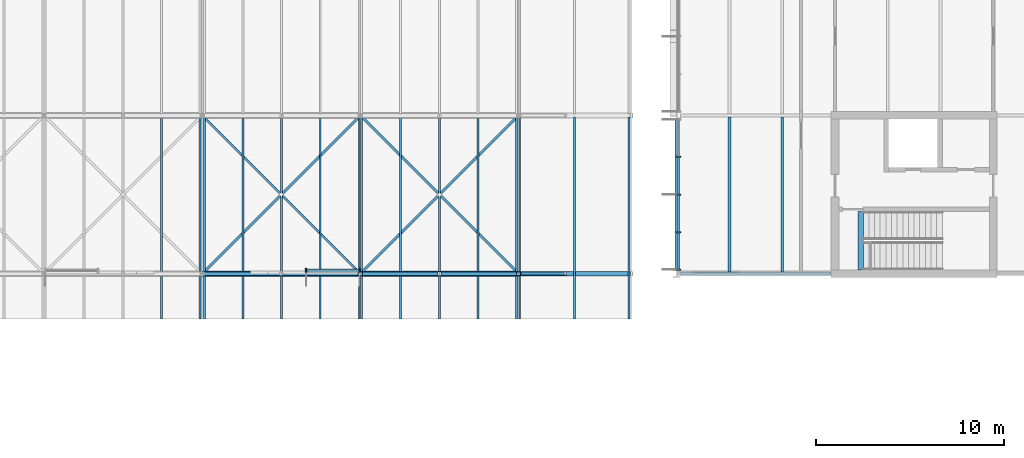
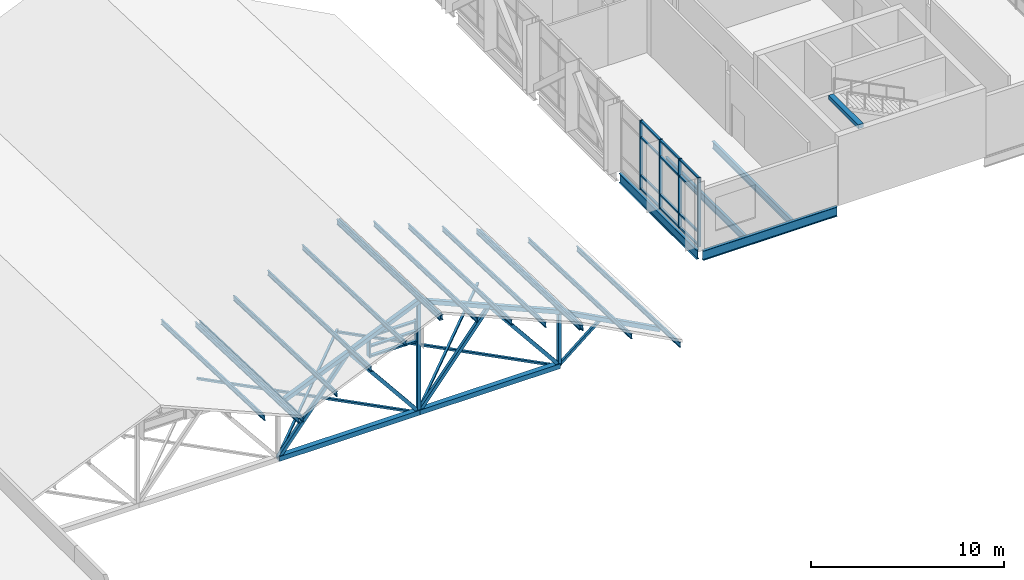
# One storey, part 13 of 76: 32 members, 27 beams, 2 elements without a shape of their own.
"""IFC4 building model written with IfcOpenShell, lengths in metres."""

from ifc_helpers import new_model, si_unit, direction, frame, origin, origin_2d, place, context, subcontext, project, spatial, rectangle, hollow_rectangle, i_section, extrude, material, material_profile, profile_set, type_object, element, aggregate, save


model = new_model("IFC4")

# Units and contexts
model_context = context("Model", 3, precision=1e-05, world=origin(), true_north=direction((0.0, 1.0)))
body_context = subcontext(model_context, "Body", "Model", "MODEL_VIEW")
ifc_project = project(units=[si_unit("LENGTHUNIT", "METRE"), si_unit("AREAUNIT", "SQUARE_METRE"), si_unit("VOLUMEUNIT", "CUBIC_METRE"), si_unit("PLANEANGLEUNIT", "RADIAN"), si_unit("MASSUNIT", "GRAM", prefix="KILO")], contexts=[model_context])

# Site, building, storey
site_placement = place(None, origin())
site = spatial("IfcSite", under=ifc_project, at=site_placement, CompositionType="ELEMENT")
building_placement = place(site_placement, origin())
building = spatial("IfcBuilding", under=site, at=building_placement, Name="Hlaing Beacon Police Headquarters", CompositionType="ELEMENT")
storey_placement = place(building_placement, frame((0.0, 0.0, 18.89990234375)))
storey = spatial("IfcBuildingStorey", under=building, at=storey_placement, Name="L04", CompositionType="ELEMENT", Elevation=18.89990234375)

# Member
ifc_material_1 = material(Name="Steel ASTM A500 Grade C", Category="steel")
ifc_material_profile_1 = material_profile(ifc_material_1, hollow_rectangle(XDim=0.15234375, YDim=0.15234375, WallThickness=0.0126953125, at=origin_2d()), Name="HSS6x6x1/2")
ifc_profile_set_1 = profile_set([ifc_material_profile_1], Name="Steel ASTM A500 Grade C")
member_type_1 = type_object("IfcMemberType", Name="Eave strut HSS6x6x1/2", PredefinedType="BRACE", material=ifc_profile_set_1)
member_1_placement = place(storey_placement, frame((92.39990234375, 33.60009765625, -4.347412109375), z_axis=(0.774816252663, 0.0, 0.632186503027), x_axis=(0.0, 1.0, 0.0)))
element("IfcMember", 1, at=member_1_placement, inside=storey, type_object=member_type_1, Name="STR-RT-V1-T1-ST02", PredefinedType="BRACE", context=body_context, shape_type="SweptSolid", body=[
    extrude(hollow_rectangle(XDim=0.15234375, YDim=0.15234375, WallThickness=0.0126953125, at=origin_2d()), origin(), (0.0, 0.0, 1.0), 3.2265625),
])

# Beams
ifc_material_2 = material(Name="Steel ASTM A992 Grade 50", Category="steel")
ifc_material_profile_2 = material_profile(ifc_material_2, i_section(OverallWidth=0.177978515625, OverallDepth=0.599365234375, WebThickness=0.010009765625, FlangeThickness=0.012939453125, FilletRadius=0.012939453125, at=origin_2d()), Name="W24x55")
ifc_profile_set_2 = profile_set([ifc_material_profile_2], Name="Steel ASTM A992 Grade 50")
beam_type_1 = type_object("IfcBeamType", Name="Girder W24x55", PredefinedType="BEAM", material=ifc_profile_set_2)
beam_1_placement = place(storey_placement, frame((100.987060546875, 33.60009765625, -0.4296875), z_axis=(1.0, 0.0, 0.0), x_axis=(0.0, 1.0, 0.0)))
element("IfcBeam", 2, at=beam_1_placement, inside=storey, type_object=beam_type_1, Name="STR-BM-L04-GX-N5-P5", PredefinedType="BEAM", context=body_context, shape_type="SweptSolid", body=[
    extrude(i_section(OverallWidth=0.177978515625, OverallDepth=0.599365234375, WebThickness=0.010009765625, FlangeThickness=0.012939453125, FilletRadius=0.012939453125, at=origin_2d()), origin(), (0.0, 0.0, 1.0), 8.012939453125),
])
beam_2_placement = place(storey_placement, frame((100.800048828125, 33.787109375, -0.4296875), z_axis=(0.0, 1.0, 0.0), x_axis=(-1.0, 0.0, 0.0)))
element("IfcBeam", 3, at=beam_2_placement, inside=storey, type_object=beam_type_1, Name="STR-BM-L04-GY-N5-N6", PredefinedType="BEAM", context=body_context, shape_type="SweptSolid", body=[
    extrude(i_section(OverallWidth=0.177978515625, OverallDepth=0.599365234375, WebThickness=0.010009765625, FlangeThickness=0.012939453125, FilletRadius=0.012939453125, at=origin_2d()), origin(), (0.0, 0.0, 1.0), 8.02197265625),
])

# Curtain wall, members
ifc_material_3 = material(Name="Aluminium frame with solar control glazing", Category="aluminium")
curtain_wall_type_1 = type_object("IfcCurtainWallType", Name="Unitised curtain wall 8.03 x 4.37", PredefinedType="NOTDEFINED", material=ifc_material_3)
curtain_wall_1_placement = place(storey_placement, origin())
curtain_wall_1 = element("IfcCurtainWall", 4, at=curtain_wall_1_placement, inside=storey, type_object=curtain_wall_type_1, Name="ENV-CW-L04-W022", PredefinedType="NOTDEFINED")
ifc_material_4 = material(Name="Aluminium", Category="aluminium")
ifc_material_profile_3 = material_profile(ifc_material_4, rectangle(XDim=0.199951171875, YDim=0.06005859375, at=origin_2d()), Name="Mullion 60x200")
ifc_profile_set_3 = profile_set([ifc_material_profile_3], Name="Aluminium")
member_type_2 = type_object("IfcMemberType", Name="Mullion 60x200", PredefinedType="MULLION", material=ifc_profile_set_3)
member_2_placement = place(storey_placement, frame((100.89990234375, 39.804931640625, 0.0), z_axis=(0.0, 0.0, 1.0), x_axis=(1.0, 0.0, 0.0)))
member_2 = element("IfcMember", 5, at=member_2_placement, type_object=member_type_2, Name="CW-L04-W022 mullion 2", PredefinedType="MULLION", context=body_context, shape_type="SweptSolid", body=[
    extrude(rectangle(XDim=0.199951171875, YDim=0.06005859375, at=origin_2d()), origin(), (0.0, 0.0, 1.0), 4.3701171875),
])
member_3_placement = place(storey_placement, frame((100.89990234375, 37.798095703125, 0.0), z_axis=(0.0, 0.0, 1.0), x_axis=(1.0, 0.0, 0.0)))
member_3 = element("IfcMember", 6, at=member_3_placement, type_object=member_type_2, Name="CW-L04-W022 mullion 3", PredefinedType="MULLION", context=body_context, shape_type="SweptSolid", body=[
    extrude(rectangle(XDim=0.199951171875, YDim=0.06005859375, at=origin_2d()), origin(), (0.0, 0.0, 1.0), 4.3701171875),
])
member_4_placement = place(storey_placement, frame((100.89990234375, 35.791259765625, 0.0), z_axis=(0.0, 0.0, 1.0), x_axis=(1.0, 0.0, 0.0)))
member_4 = element("IfcMember", 7, at=member_4_placement, type_object=member_type_2, Name="CW-L04-W022 mullion 4", PredefinedType="MULLION", context=body_context, shape_type="SweptSolid", body=[
    extrude(rectangle(XDim=0.199951171875, YDim=0.06005859375, at=origin_2d()), origin(), (0.0, 0.0, 1.0), 4.3701171875),
])
member_5_placement = place(storey_placement, frame((100.89990234375, 33.814208984375, 0.0), z_axis=(0.0, 0.0, 1.0), x_axis=(1.0, 0.0, 0.0)))
member_5 = element("IfcMember", 8, at=member_5_placement, type_object=member_type_2, Name="CW-L04-W022 mullion 5", PredefinedType="MULLION", context=body_context, shape_type="SweptSolid", body=[
    extrude(rectangle(XDim=0.199951171875, YDim=0.06005859375, at=origin_2d()), origin(), (0.0, 0.0, 1.0), 4.3701171875),
])

ifc_material_5 = material(Name="Aluminium frame with solar control glazing", Category="aluminium")
curtain_wall_type_2 = type_object("IfcCurtainWallType", Name="Structural glazed gable wall 2.92 x 1.35", PredefinedType="NOTDEFINED", material=ifc_material_5)
curtain_wall_2_placement = place(storey_placement, origin())
curtain_wall_2 = element("IfcCurtainWall", 9, at=curtain_wall_2_placement, inside=storey, type_object=curtain_wall_type_2, Name="ENV-CW-L04-S002", PredefinedType="NOTDEFINED")
ifc_material_6 = material(Name="Aluminium", Category="aluminium")
ifc_material_profile_4 = material_profile(ifc_material_6, rectangle(XDim=0.300048828125, YDim=0.080078125, at=origin_2d()), Name="Mullion 80x300")
ifc_profile_set_4 = profile_set([ifc_material_profile_4], Name="Aluminium")
member_type_3 = type_object("IfcMemberType", Name="Mullion 80x300", PredefinedType="MULLION", material=ifc_profile_set_4)
member_6_placement = place(storey_placement, frame((81.123291015625, 33.75, 0.0), z_axis=(0.0, 0.0, 1.0), x_axis=(0.0, 1.0, 0.0)))
member_6 = element("IfcMember", 10, at=member_6_placement, type_object=member_type_3, Name="CW-L04-S002 mullion 1", PredefinedType="MULLION", context=body_context, shape_type="SweptSolid", body=[
    extrude(rectangle(XDim=0.300048828125, YDim=0.080078125, at=origin_2d()), origin(), (0.0, 0.0, 1.0), 1.35009765625),
])
member_7_placement = place(storey_placement, frame((83.9599609375, 33.75, 0.0), z_axis=(0.0, 0.0, 1.0), x_axis=(0.0, 1.0, 0.0)))
member_7 = element("IfcMember", 11, at=member_7_placement, type_object=member_type_3, Name="CW-L04-S002 mullion 2", PredefinedType="MULLION", context=body_context, shape_type="SweptSolid", body=[
    extrude(rectangle(XDim=0.300048828125, YDim=0.080078125, at=origin_2d()), origin(), (0.0, 0.0, 1.0), 1.35009765625),
])

# Members
ifc_material_7 = material(Name="Steel ASTM A500 Grade C", Category="steel")
ifc_material_profile_5 = material_profile(ifc_material_7, hollow_rectangle(XDim=0.126953125, YDim=0.126953125, WallThickness=0.009521484375, at=origin_2d()), Name="HSS5x5x3/8")
ifc_profile_set_5 = profile_set([ifc_material_profile_5], Name="Steel ASTM A500 Grade C")
member_type_4 = type_object("IfcMemberType", Name="Roof plan brace HSS5x5x3/8", PredefinedType="BRACE", material=ifc_profile_set_5)
for number, where, z_axis, x_axis, name in (
    (12, (75.60009765625, 33.60009765625, -4.27392578125), (0.707106781187, 0.707106781187, 0.0), (-0.707106781187, 0.707106781187, 0.0), "STR-RT-V1-WB05"),
    (13, (75.60009765625, 42.0, -4.4208984375), (0.707106781187, -0.707106781187, 0.0), (0.707106781187, 0.707106781187, 0.0), "STR-RT-V1-WB06"),
    (14, (84.0, 33.60009765625, -4.27392578125), (0.707106781187, 0.707106781187, 0.0), (-0.707106781187, 0.707106781187, 0.0), "STR-RT-V1-WB07"),
    (15, (84.0, 42.0, -4.4208984375), (0.707106781187, -0.707106781187, 0.0), (0.707106781187, 0.707106781187, 0.0), "STR-RT-V1-WB08"),
):
    element("IfcMember", number, at=place(storey_placement, frame(where, z_axis=z_axis, x_axis=x_axis)), inside=storey, type_object=member_type_4, Name=name, PredefinedType="BRACE", context=body_context, shape_type="SweptSolid", body=[
        extrude(hollow_rectangle(XDim=0.126953125, YDim=0.126953125, WallThickness=0.009521484375, at=origin_2d()), origin(), (0.0, 0.0, 1.0), 11.879150390625),
    ])

# Beams
ifc_material_8 = material(Name="Steel ASTM A992 Grade 50", Category="steel")
ifc_material_profile_6 = material_profile(ifc_material_8, i_section(OverallWidth=0.102294921875, OverallDepth=0.3125, WebThickness=0.006591796875, FlangeThickness=0.0107421875, FilletRadius=0.007568359375, at=origin_2d()), Name="W12x22")
ifc_profile_set_6 = profile_set([ifc_material_profile_6], Name="Steel ASTM A992 Grade 50")
beam_type_2 = type_object("IfcBeamType", Name="Roof purlin W12x22", PredefinedType="BEAM", material=ifc_profile_set_6)
for number, where, z_axis, x_axis, name in (
    (16, (73.43994140625, 31.199951171875, 0.3701171875), (0.0, 0.99936175104, -0.035722409739), (-1.0, 0.0, 0.0), "STR-RT-V1-PR-R3-04-1"),
    (17, (75.479736328125, 31.199951171875, -0.504150390625), (0.0, 0.999362564096, -0.035699656635), (-1.0, 0.0, 0.0), "STR-RT-V1-PR-R3-05-1"),
    (18, (75.72021484375, 31.199951171875, -0.504150390625), (0.0, 0.999362564096, -0.035699656635), (-1.0, 0.0, 0.0), "STR-RT-V1-PR-R4-01-1"),
    (19, (77.760009765625, 31.199951171875, 0.3701171875), (0.0, 0.99936175104, -0.035722409739), (-1.0, 0.0, 0.0), "STR-RT-V1-PR-R4-02-1"),
    (20, (79.800048828125, 31.199951171875, 1.244384765625), (0.0, 0.99936175104, -0.035722409739), (-1.0, 0.0, 0.0), "STR-RT-V1-PR-R4-03-1"),
    (21, (81.869384765625, 31.199951171875, 2.131103515625), (0.0, 0.999362564096, -0.035699656635), (-1.0, 0.0, 0.0), "STR-RT-V1-PR-R4-04-1"),
    (22, (83.938720703125, 31.199951171875, 3.01806640625), (0.0, 0.999362564096, -0.035699656635), (-1.0, 0.0, 0.0), "STR-RT-V1-PR-R4-05-1"),
    (23, (84.061279296875, 31.199951171875, 3.01806640625), (0.0, 0.999362564096, -0.035699656635), (-1.0, 0.0, 0.0), "STR-RT-V1-PR-R5-01-1"),
    (24, (86.130615234375, 31.199951171875, 2.131103515625), (0.0, 0.999362564096, -0.035699656635), (-1.0, 0.0, 0.0), "STR-RT-V1-PR-R5-02-1"),
    (25, (88.199951171875, 31.199951171875, 1.244384765625), (0.0, 0.99936175104, -0.035722409739), (-1.0, 0.0, 0.0), "STR-RT-V1-PR-R5-03-1"),
    (26, (90.239990234375, 31.199951171875, 0.3701171875), (0.0, 0.99936175104, -0.035722409739), (-1.0, 0.0, 0.0), "STR-RT-V1-PR-R5-04-1"),
    (27, (92.27978515625, 31.199951171875, -0.504150390625), (0.0, 0.999362564096, -0.035699656635), (-1.0, 0.0, 0.0), "STR-RT-V1-PR-R5-05-1"),
    (28, (92.461181640625, 31.199951171875, -0.6005859375), (0.0, 0.999362564096, -0.035699656635), (-1.0, 0.0, 0.0), "STR-RT-V1-PR-R6-01-1"),
    (29, (95.36474609375, 31.199951171875, -2.149169921875), (0.0, 0.999363376635, -0.035676903474), (-1.0, 0.0, 0.0), "STR-RT-V1-PR-R6-02-1"),
    (30, (98.268310546875, 31.199951171875, -3.697509765625), (0.0, 0.99936175104, -0.035722409739), (-1.0, 0.0, 0.0), "STR-RT-V1-PR-R6-03-1"),
):
    element("IfcBeam", number, at=place(storey_placement, frame(where, z_axis=z_axis, x_axis=x_axis)), inside=storey, type_object=beam_type_2, Name=name, PredefinedType="BEAM", context=body_context, shape_type="SweptSolid", body=[
        extrude(i_section(OverallWidth=0.102294921875, OverallDepth=0.3125, WebThickness=0.006591796875, FlangeThickness=0.0107421875, FilletRadius=0.007568359375, at=origin_2d()), origin(), (0.0, 0.0, 1.0), 10.71630859375),
    ])
ifc_material_9 = material(Name="Steel ASTM A992 Grade 50", Category="steel")
ifc_material_profile_7 = material_profile(ifc_material_9, i_section(OverallWidth=0.15234375, OverallDepth=0.449462890625, WebThickness=0.007568359375, FlangeThickness=0.0107421875, FilletRadius=0.01025390625, at=origin_2d()), Name="W18x35")
ifc_profile_set_7 = profile_set([ifc_material_profile_7], Name="Steel ASTM A992 Grade 50")
beam_type_3 = type_object("IfcBeamType", Name="Secondary beam W18x35", PredefinedType="BEAM", material=ifc_profile_set_7)
for number, where, z_axis, x_axis, name in (
    (31, (103.60009765625, 33.68896484375, -0.354736328125), (0.0, 1.0, 0.0), (-1.0, 0.0, 0.0), "STR-BM-L04-SB-N5-y1"),
    (32, (106.39990234375, 33.68896484375, -0.354736328125), (0.0, 1.0, 0.0), (-1.0, 0.0, 0.0), "STR-BM-L04-SB-N5-y2"),
):
    element("IfcBeam", number, at=place(storey_placement, frame(where, z_axis=z_axis, x_axis=x_axis)), inside=storey, type_object=beam_type_3, Name=name, PredefinedType="BEAM", context=body_context, shape_type="SweptSolid", body=[
        extrude(i_section(OverallWidth=0.15234375, OverallDepth=0.449462890625, WebThickness=0.007568359375, FlangeThickness=0.0107421875, FilletRadius=0.01025390625, at=origin_2d()), origin(), (0.0, 0.0, 1.0), 8.221923828125),
    ])
ifc_material_10 = material(Name="Concrete C40/50", Category="concrete")
ifc_material_profile_8 = material_profile(ifc_material_10, rectangle(XDim=0.300048828125, YDim=0.25, at=origin_2d()), Name="Stair arrival beam 300x250")
ifc_profile_set_8 = profile_set([ifc_material_profile_8], Name="Concrete C40/50")
beam_type_4 = type_object("IfcBeamType", Name="Stair arrival beam 300x250", PredefinedType="BEAM", material=ifc_profile_set_8)
beam_3_placement = place(storey_placement, frame((110.56005859375, 33.800048828125, 4.2451171875), z_axis=(0.0, 1.0, 0.0), x_axis=(-1.0, 0.0, 0.0)))
element("IfcBeam", 33, at=beam_3_placement, inside=storey, type_object=beam_type_4, Name="Stair arrival beam ST-L", PredefinedType="BEAM", context=body_context, shape_type="SweptSolid", body=[
    extrude(rectangle(XDim=0.300048828125, YDim=0.25, at=origin_2d()), origin(), (0.0, 0.0, 1.0), 3.099853515625),
])

# Member
ifc_material_11 = material(Name="Aluminium", Category="aluminium")
ifc_material_profile_9 = material_profile(ifc_material_11, rectangle(XDim=0.1201171875, YDim=0.10009765625, at=origin_2d()), Name="Transom 120x100")
ifc_profile_set_9 = profile_set([ifc_material_profile_9], Name="Aluminium")
member_type_5 = type_object("IfcMemberType", Name="Transom 120x100", PredefinedType="USERDEFINED", material=ifc_profile_set_9)
member_8_placement = place(storey_placement, frame((100.89990234375, 39.775146484375, 0.050048828125), z_axis=(0.0, -1.0, 0.0), x_axis=(1.0, 0.0, 0.0)))
member_8 = element("IfcMember", 34, at=member_8_placement, type_object=member_type_5, Name="CW-L04-W022 transom 2.1", ObjectType="TRANSOM", PredefinedType="USERDEFINED", context=body_context, shape_type="SweptSolid", body=[
    extrude(rectangle(XDim=0.1201171875, YDim=0.10009765625, at=origin_2d()), origin(), (0.0, 0.0, 1.0), 1.947021484375),
])

member_9_placement = place(storey_placement, frame((100.89990234375, 39.775146484375, 0.900146484375), z_axis=(0.0, -1.0, 0.0), x_axis=(1.0, 0.0, 0.0)))
member_9 = element("IfcMember", 35, at=member_9_placement, type_object=member_type_5, Name="CW-L04-W022 transom 2.2", ObjectType="TRANSOM", PredefinedType="USERDEFINED", context=body_context, shape_type="SweptSolid", body=[
    extrude(rectangle(XDim=0.1201171875, YDim=0.10009765625, at=origin_2d()), origin(), (0.0, 0.0, 1.0), 1.947021484375),
])

member_10_placement = place(storey_placement, frame((100.89990234375, 39.775146484375, 3.300048828125), z_axis=(0.0, -1.0, 0.0), x_axis=(1.0, 0.0, 0.0)))
member_10 = element("IfcMember", 36, at=member_10_placement, type_object=member_type_5, Name="CW-L04-W022 transom 2.3", ObjectType="TRANSOM", PredefinedType="USERDEFINED", context=body_context, shape_type="SweptSolid", body=[
    extrude(rectangle(XDim=0.1201171875, YDim=0.10009765625, at=origin_2d()), origin(), (0.0, 0.0, 1.0), 1.947021484375),
])

member_11_placement = place(storey_placement, frame((100.89990234375, 39.775146484375, 4.320068359375), z_axis=(0.0, -1.0, 0.0), x_axis=(1.0, 0.0, 0.0)))
member_11 = element("IfcMember", 37, at=member_11_placement, type_object=member_type_5, Name="CW-L04-W022 transom 2.4", ObjectType="TRANSOM", PredefinedType="USERDEFINED", context=body_context, shape_type="SweptSolid", body=[
    extrude(rectangle(XDim=0.1201171875, YDim=0.10009765625, at=origin_2d()), origin(), (0.0, 0.0, 1.0), 1.947021484375),
])

member_12_placement = place(storey_placement, frame((100.89990234375, 37.76806640625, 0.050048828125), z_axis=(0.0, -1.0, 0.0), x_axis=(1.0, 0.0, 0.0)))
member_12 = element("IfcMember", 38, at=member_12_placement, type_object=member_type_5, Name="CW-L04-W022 transom 3.1", ObjectType="TRANSOM", PredefinedType="USERDEFINED", context=body_context, shape_type="SweptSolid", body=[
    extrude(rectangle(XDim=0.1201171875, YDim=0.10009765625, at=origin_2d()), origin(), (0.0, 0.0, 1.0), 1.947021484375),
])

member_13_placement = place(storey_placement, frame((100.89990234375, 37.76806640625, 0.900146484375), z_axis=(0.0, -1.0, 0.0), x_axis=(1.0, 0.0, 0.0)))
member_13 = element("IfcMember", 39, at=member_13_placement, type_object=member_type_5, Name="CW-L04-W022 transom 3.2", ObjectType="TRANSOM", PredefinedType="USERDEFINED", context=body_context, shape_type="SweptSolid", body=[
    extrude(rectangle(XDim=0.1201171875, YDim=0.10009765625, at=origin_2d()), origin(), (0.0, 0.0, 1.0), 1.947021484375),
])

member_14_placement = place(storey_placement, frame((100.89990234375, 37.76806640625, 3.300048828125), z_axis=(0.0, -1.0, 0.0), x_axis=(1.0, 0.0, 0.0)))
member_14 = element("IfcMember", 40, at=member_14_placement, type_object=member_type_5, Name="CW-L04-W022 transom 3.3", ObjectType="TRANSOM", PredefinedType="USERDEFINED", context=body_context, shape_type="SweptSolid", body=[
    extrude(rectangle(XDim=0.1201171875, YDim=0.10009765625, at=origin_2d()), origin(), (0.0, 0.0, 1.0), 1.947021484375),
])

member_15_placement = place(storey_placement, frame((100.89990234375, 37.76806640625, 4.320068359375), z_axis=(0.0, -1.0, 0.0), x_axis=(1.0, 0.0, 0.0)))
member_15 = element("IfcMember", 41, at=member_15_placement, type_object=member_type_5, Name="CW-L04-W022 transom 3.4", ObjectType="TRANSOM", PredefinedType="USERDEFINED", context=body_context, shape_type="SweptSolid", body=[
    extrude(rectangle(XDim=0.1201171875, YDim=0.10009765625, at=origin_2d()), origin(), (0.0, 0.0, 1.0), 1.947021484375),
])

member_16_placement = place(storey_placement, frame((100.89990234375, 35.76123046875, 0.050048828125), z_axis=(0.0, -1.0, 0.0), x_axis=(1.0, 0.0, 0.0)))
member_16 = element("IfcMember", 42, at=member_16_placement, type_object=member_type_5, Name="CW-L04-W022 transom 4.1", ObjectType="TRANSOM", PredefinedType="USERDEFINED", context=body_context, shape_type="SweptSolid", body=[
    extrude(rectangle(XDim=0.1201171875, YDim=0.10009765625, at=origin_2d()), origin(), (0.0, 0.0, 1.0), 1.9169921875),
])

member_17_placement = place(storey_placement, frame((100.89990234375, 35.76123046875, 0.900146484375), z_axis=(0.0, -1.0, 0.0), x_axis=(1.0, 0.0, 0.0)))
member_17 = element("IfcMember", 43, at=member_17_placement, type_object=member_type_5, Name="CW-L04-W022 transom 4.2", ObjectType="TRANSOM", PredefinedType="USERDEFINED", context=body_context, shape_type="SweptSolid", body=[
    extrude(rectangle(XDim=0.1201171875, YDim=0.10009765625, at=origin_2d()), origin(), (0.0, 0.0, 1.0), 1.9169921875),
])

member_18_placement = place(storey_placement, frame((100.89990234375, 35.76123046875, 3.300048828125), z_axis=(0.0, -1.0, 0.0), x_axis=(1.0, 0.0, 0.0)))
member_18 = element("IfcMember", 44, at=member_18_placement, type_object=member_type_5, Name="CW-L04-W022 transom 4.3", ObjectType="TRANSOM", PredefinedType="USERDEFINED", context=body_context, shape_type="SweptSolid", body=[
    extrude(rectangle(XDim=0.1201171875, YDim=0.10009765625, at=origin_2d()), origin(), (0.0, 0.0, 1.0), 1.9169921875),
])

member_19_placement = place(storey_placement, frame((100.89990234375, 35.76123046875, 4.320068359375), z_axis=(0.0, -1.0, 0.0), x_axis=(1.0, 0.0, 0.0)))
member_19 = element("IfcMember", 45, at=member_19_placement, type_object=member_type_5, Name="CW-L04-W022 transom 4.4", ObjectType="TRANSOM", PredefinedType="USERDEFINED", context=body_context, shape_type="SweptSolid", body=[
    extrude(rectangle(XDim=0.1201171875, YDim=0.10009765625, at=origin_2d()), origin(), (0.0, 0.0, 1.0), 1.9169921875),
])

aggregate(curtain_wall_1, [member_2, member_3, member_4, member_5, member_8, member_9, member_10, member_11, member_12, member_13, member_14, member_15, member_16, member_17, member_18, member_19])

ifc_material_12 = material(Name="Aluminium", Category="aluminium")
ifc_material_profile_10 = material_profile(ifc_material_12, rectangle(XDim=0.199951171875, YDim=0.10009765625, at=origin_2d()), Name="Transom 200x100")
ifc_profile_set_10 = profile_set([ifc_material_profile_10], Name="Aluminium")
member_type_6 = type_object("IfcMemberType", Name="Transom 200x100", PredefinedType="USERDEFINED", material=ifc_profile_set_10)
member_20_placement = place(storey_placement, frame((81.163330078125, 33.75, 0.050048828125), z_axis=(1.0, 0.0, 0.0), x_axis=(0.0, 1.0, 0.0)))
member_20 = element("IfcMember", 46, at=member_20_placement, type_object=member_type_6, Name="CW-L04-S002 transom 1.1", ObjectType="TRANSOM", PredefinedType="USERDEFINED", context=body_context, shape_type="SweptSolid", body=[
    extrude(rectangle(XDim=0.199951171875, YDim=0.10009765625, at=origin_2d()), origin(), (0.0, 0.0, 1.0), 2.756591796875),
])

member_21_placement = place(storey_placement, frame((81.163330078125, 33.75, 0.675048828125), z_axis=(1.0, 0.0, 0.0), x_axis=(0.0, 1.0, 0.0)))
member_21 = element("IfcMember", 47, at=member_21_placement, type_object=member_type_6, Name="CW-L04-S002 transom 1.2", ObjectType="TRANSOM", PredefinedType="USERDEFINED", context=body_context, shape_type="SweptSolid", body=[
    extrude(rectangle(XDim=0.199951171875, YDim=0.10009765625, at=origin_2d()), origin(), (0.0, 0.0, 1.0), 2.756591796875),
])

member_22_placement = place(storey_placement, frame((81.163330078125, 33.75, 1.300048828125), z_axis=(1.0, 0.0, 0.0), x_axis=(0.0, 1.0, 0.0)))
member_22 = element("IfcMember", 48, at=member_22_placement, type_object=member_type_6, Name="CW-L04-S002 transom 1.3", ObjectType="TRANSOM", PredefinedType="USERDEFINED", context=body_context, shape_type="SweptSolid", body=[
    extrude(rectangle(XDim=0.199951171875, YDim=0.10009765625, at=origin_2d()), origin(), (0.0, 0.0, 1.0), 2.756591796875),
])

aggregate(curtain_wall_2, [member_6, member_7, member_20, member_21, member_22])

# Beams
ifc_material_13 = material(Name="Steel ASTM A500 Grade C", Category="steel")
ifc_material_profile_11 = material_profile(ifc_material_13, hollow_rectangle(XDim=0.3046875, YDim=0.3046875, WallThickness=0.015869140625, at=origin_2d()), Name="HSS12x12x5/8")
ifc_profile_set_11 = profile_set([ifc_material_profile_11], Name="Steel ASTM A500 Grade C")
beam_type_5 = type_object("IfcBeamType", Name="Truss bottom chord HSS12x12x5/8", PredefinedType="BEAM", material=ifc_profile_set_11)
for number, where, z_axis, x_axis, name in (
    (49, (75.60009765625, 33.60009765625, -4.347412109375), (1.0, 0.0, 0.0), (0.0, 1.0, 0.0), "STR-RT-V1-T1-BC03"),
    (50, (84.0, 33.60009765625, -4.347412109375), (1.0, 0.0, 0.0), (0.0, 1.0, 0.0), "STR-RT-V1-T1-BC04"),
):
    element("IfcBeam", number, at=place(storey_placement, frame(where, z_axis=z_axis, x_axis=x_axis)), inside=storey, type_object=beam_type_5, Name=name, PredefinedType="BEAM", context=body_context, shape_type="SweptSolid", body=[
        extrude(hollow_rectangle(XDim=0.3046875, YDim=0.3046875, WallThickness=0.015869140625, at=origin_2d()), origin(), (0.0, 0.0, 1.0), 8.39990234375),
    ])

# Members
ifc_material_14 = material(Name="Steel ASTM A500 Grade C", Category="steel")
ifc_material_profile_12 = material_profile(ifc_material_14, hollow_rectangle(XDim=0.203125, YDim=0.203125, WallThickness=0.015869140625, at=origin_2d()), Name="HSS8x8x5/8")
ifc_profile_set_12 = profile_set([ifc_material_profile_12], Name="Steel ASTM A500 Grade C")
member_type_7 = type_object("IfcMemberType", Name="Truss post HSS8x8x5/8", PredefinedType="POST", material=ifc_profile_set_12)
member_23_placement = place(storey_placement, frame((84.0, 33.60009765625, -4.347412109375), z_axis=(0.0, 0.0, 1.0), x_axis=(1.0, 0.0, 0.0)))
element("IfcMember", 51, at=member_23_placement, inside=storey, type_object=member_type_7, Name="STR-RT-V1-T1-PS04", PredefinedType="POST", context=body_context, shape_type="SweptSolid", body=[
    extrude(hollow_rectangle(XDim=0.203125, YDim=0.203125, WallThickness=0.015869140625, at=origin_2d()), origin(), (0.0, 0.0, 1.0), 7.001708984375),
])
member_24_placement = place(storey_placement, frame((92.39990234375, 33.60009765625, -4.347412109375), z_axis=(0.0, 0.0, 1.0), x_axis=(1.0, 0.0, 0.0)))
element("IfcMember", 52, at=member_24_placement, inside=storey, type_object=member_type_7, Name="STR-RT-V1-T1-PS05", PredefinedType="POST", context=body_context, shape_type="SweptSolid", body=[
    extrude(hollow_rectangle(XDim=0.203125, YDim=0.203125, WallThickness=0.015869140625, at=origin_2d()), origin(), (0.0, 0.0, 1.0), 3.378173828125),
])

# Beams
ifc_material_15 = material(Name="Steel ASTM A500 Grade C", Category="steel")
ifc_material_profile_13 = material_profile(ifc_material_15, hollow_rectangle(XDim=0.25390625, YDim=0.25390625, WallThickness=0.015869140625, at=origin_2d()), Name="HSS10x10x5/8")
ifc_profile_set_13 = profile_set([ifc_material_profile_13], Name="Steel ASTM A500 Grade C")
beam_type_6 = type_object("IfcBeamType", Name="Truss top chord HSS10x10x5/8", PredefinedType="BEAM", material=ifc_profile_set_13)
beam_4_placement = place(storey_placement, frame((75.60009765625, 33.60009765625, -0.95751953125), z_axis=(0.919158847594, 0.0, 0.393887056006), x_axis=(0.0, 1.0, 0.0)))
element("IfcBeam", 53, at=beam_4_placement, inside=storey, type_object=beam_type_6, Name="STR-RT-V1-T1-TC06", PredefinedType="BEAM", context=body_context, shape_type="SweptSolid", body=[
    extrude(hollow_rectangle(XDim=0.25390625, YDim=0.25390625, WallThickness=0.015869140625, at=origin_2d()), origin(), (0.0, 0.0, 1.0), 4.5693359375),
])
for number, where, z_axis, x_axis, name in (
    (54, (79.800048828125, 33.60009765625, 0.84228515625), (0.918189896614, 0.0, 0.396140522739), (0.0, 1.0, 0.0), "STR-RT-V1-T1-TC07"),
    (55, (84.0, 33.60009765625, 2.654296875), (0.918189896614, 0.0, -0.396140522739), (0.0, 1.0, 0.0), "STR-RT-V1-T1-TC08"),
):
    element("IfcBeam", number, at=place(storey_placement, frame(where, z_axis=z_axis, x_axis=x_axis)), inside=storey, type_object=beam_type_6, Name=name, PredefinedType="BEAM", context=body_context, shape_type="SweptSolid", body=[
        extrude(hollow_rectangle(XDim=0.25390625, YDim=0.25390625, WallThickness=0.015869140625, at=origin_2d()), origin(), (0.0, 0.0, 1.0), 4.57421875),
    ])
beam_5_placement = place(storey_placement, frame((88.199951171875, 33.60009765625, 0.84228515625), z_axis=(0.918228721405, 0.0, -0.396050521004), x_axis=(0.0, 1.0, 0.0)))
element("IfcBeam", 56, at=beam_5_placement, inside=storey, type_object=beam_type_6, Name="STR-RT-V1-T1-TC09", PredefinedType="BEAM", context=body_context, shape_type="SweptSolid", body=[
    extrude(hollow_rectangle(XDim=0.25390625, YDim=0.25390625, WallThickness=0.015869140625, at=origin_2d()), origin(), (0.0, 0.0, 1.0), 4.573974609375),
])
beam_6_placement = place(storey_placement, frame((92.39990234375, 33.60009765625, -0.96923828125), z_axis=(0.881639912586, 0.0, -0.47192273153), x_axis=(0.0, 1.0, 0.0)))
element("IfcBeam", 57, at=beam_6_placement, inside=storey, type_object=beam_type_6, Name="STR-RT-V1-T1-TC10", PredefinedType="BEAM", context=body_context, shape_type="SweptSolid", body=[
    extrude(hollow_rectangle(XDim=0.25390625, YDim=0.25390625, WallThickness=0.015869140625, at=origin_2d()), origin(), (0.0, 0.0, 1.0), 6.805419921875),
])

# Members
ifc_material_16 = material(Name="Steel ASTM A500 Grade C", Category="steel")
ifc_material_profile_14 = material_profile(ifc_material_16, hollow_rectangle(XDim=0.203125, YDim=0.203125, WallThickness=0.0126953125, at=origin_2d()), Name="HSS8x8x1/2")
ifc_profile_set_14 = profile_set([ifc_material_profile_14], Name="Steel ASTM A500 Grade C")
member_type_8 = type_object("IfcMemberType", Name="Truss web HSS8x8x1/2", PredefinedType="BRACE", material=ifc_profile_set_14)
for number, where, z_axis, x_axis, name in (
    (58, (75.60009765625, 33.60009765625, -4.347412109375), (0.629086713526, 0.0, 0.777335131629), (0.0, 1.0, 0.0), "STR-RT-V1-T1-DG05"),
    (59, (79.800048828125, 33.60009765625, 0.84228515625), (0.629086713526, 0.0, -0.777335131629), (0.0, 1.0, 0.0), "STR-RT-V1-T1-DG06"),
    (60, (84.0, 33.60009765625, -4.347412109375), (0.629086713526, 0.0, 0.777335131629), (0.0, 1.0, 0.0), "STR-RT-V1-T1-DG07"),
    (61, (88.199951171875, 33.60009765625, 0.84228515625), (0.629086713526, 0.0, -0.777335131629), (0.0, 1.0, 0.0), "STR-RT-V1-T1-DG08"),
):
    element("IfcMember", number, at=place(storey_placement, frame(where, z_axis=z_axis, x_axis=x_axis)), inside=storey, type_object=member_type_8, Name=name, PredefinedType="BRACE", context=body_context, shape_type="SweptSolid", body=[
        extrude(hollow_rectangle(XDim=0.203125, YDim=0.203125, WallThickness=0.0126953125, at=origin_2d()), origin(), (0.0, 0.0, 1.0), 6.67626953125),
    ])

save(model, "model.ifc")
